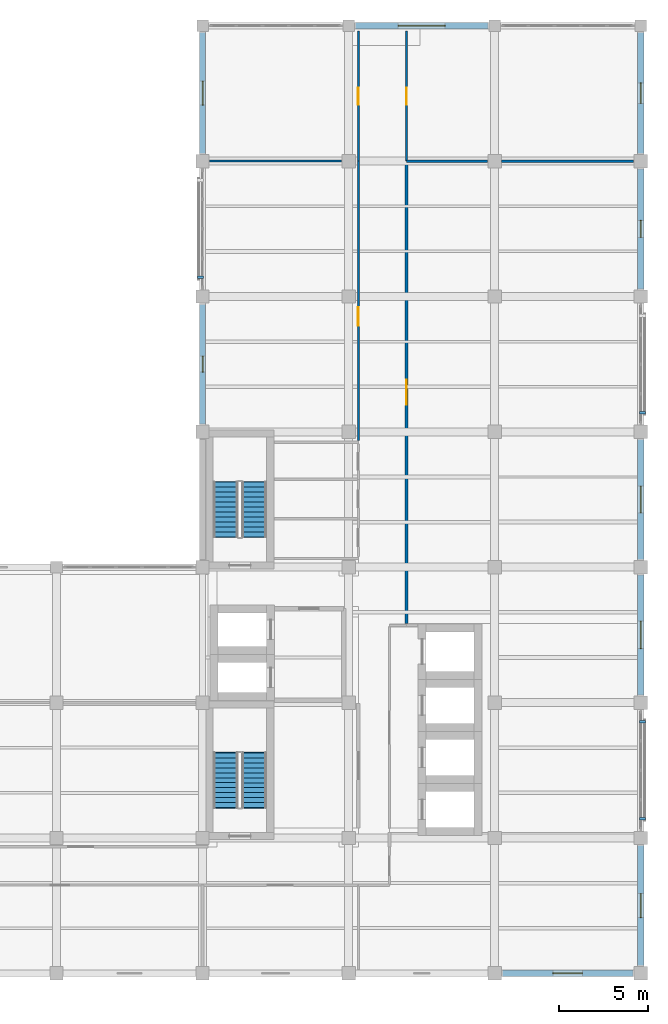
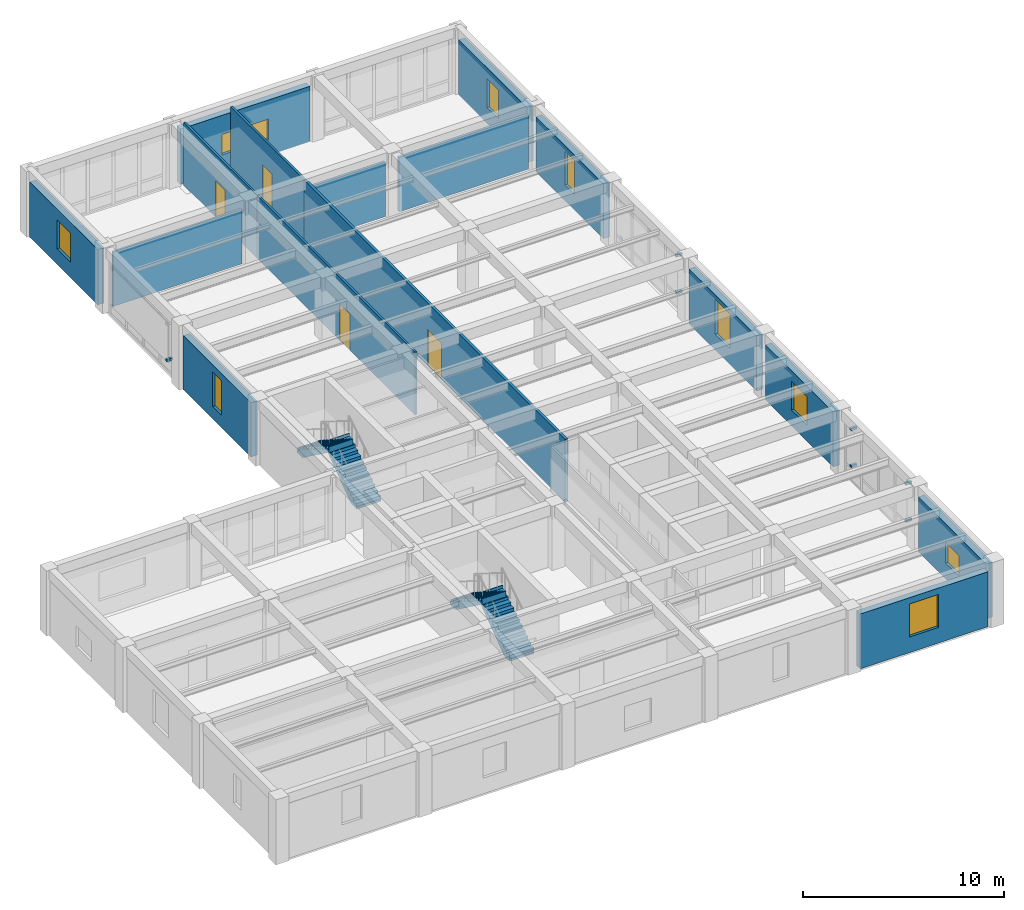
# One storey, part 9 of 14: 16 walls, 9 windows, 7 discrete accessories, 4 doors, 4 stair flights, 13 openings, 2 elements without a shape of their own.
"""IFC4 building model written with IfcOpenShell, lengths in metres."""

import ifcopenshell
import ifcopenshell.guid

model = None  # the IFC model being written
_history = None  # IfcOwnerHistory: only IFC2X3 demands one
_inside = {}  # id of a spatial element -> (the spatial element, [elements in it])
_under = {}  # id of a project, library or spatial element -> (it, [spatial elements below it])
_declared = {}  # id of a project -> (the project, [libraries it declares])
_typed = {}  # id of a type object -> (the type object, [elements of that type])
_made_of = {}  # id of a material, layer set ... -> (it, [elements and type objects made of it])


def new_model(schema):
    """Start an empty IFC model of exactly this schema.

    Asked for "IFC4X3", IfcOpenShell would pick the latest addendum, in which some entities
    have other attributes; the version numbers below select the first issue.
    IFC2X3 requires an IfcOwnerHistory on every rooted entity: one is made here for all.
    """
    global model, _history
    if schema == "IFC4X3":
        model = ifcopenshell.file(schema_version=(4, 3, 0, 0))
    else:
        model = ifcopenshell.file(schema=schema)
    _inside.clear()
    _under.clear()
    _declared.clear()
    _typed.clear()
    _made_of.clear()
    _history = None
    if model.schema == "IFC2X3":
        org = make("IfcOrganization", Name="unknown")
        user = make(
            "IfcPersonAndOrganization",
            ThePerson=make("IfcPerson", FamilyName="unknown"),
            TheOrganization=org,
        )
        app = make(
            "IfcApplication",
            ApplicationDeveloper=org,
            Version="unknown",
            ApplicationFullName="unknown",
            ApplicationIdentifier="unknown",
        )
        _history = make(
            "IfcOwnerHistory",
            OwningUser=user,
            OwningApplication=app,
            ChangeAction="ADDED",
            CreationDate=0,
        )
    return model


def make(cls, **values):
    """One entity of the class cls with the attributes given. An attribute that is None is left unset."""
    return model.create_entity(
        cls, **{name: value for name, value in values.items() if value is not None}
    )


def rooted(cls, **values):
    """An entity with a GlobalId (a new one), such as an element, a storey or a relation."""
    return make(cls, GlobalId=ifcopenshell.guid.new(), OwnerHistory=_history, **values)


def si_unit(unit_type, name, prefix=None):
    """IfcSIUnit, for example si_unit("LENGTHUNIT", "METRE", prefix="MILLI")."""
    return make("IfcSIUnit", UnitType=unit_type, Prefix=prefix, Name=name)


def assignment(units):
    """IfcUnitAssignment: the units of a project."""
    return None if units is None else make("IfcUnitAssignment", Units=units)


def point(xyz):
    """IfcCartesianPoint."""
    return None if xyz is None else make("IfcCartesianPoint", Coordinates=xyz)


def direction(xyz):
    """IfcDirection."""
    return None if xyz is None else make("IfcDirection", DirectionRatios=xyz)


def frame(location, z_axis=None, x_axis=None):
    """IfcAxis2Placement3D, a coordinate frame: its origin and axes. An axis left out is left unset."""
    return make(
        "IfcAxis2Placement3D",
        Location=point(location),
        Axis=direction(z_axis),
        RefDirection=direction(x_axis),
    )


def frame_2d(location, x_axis=None):
    """IfcAxis2Placement2D, a coordinate frame in the plane: its origin and x axis."""
    return make(
        "IfcAxis2Placement2D", Location=point(location), RefDirection=direction(x_axis)
    )


def origin():
    """The frame at (0, 0, 0) with its axes left unset."""
    return frame((0.0, 0.0, 0.0))


def origin_2d():
    """The frame at (0, 0) in the plane with its x axis left unset."""
    return frame_2d((0.0, 0.0))


def place(relative_to, where):
    """IfcLocalPlacement: puts the frame where relative to a parent placement (None: the world)."""
    return make(
        "IfcLocalPlacement", PlacementRelTo=relative_to, RelativePlacement=where
    )


def context(
    kind, dimensions, precision=None, world=None, true_north=None, identifier=None
):
    """IfcGeometricRepresentationContext, for example the 3D "Model" context."""
    return make(
        "IfcGeometricRepresentationContext",
        ContextIdentifier=identifier,
        ContextType=kind,
        CoordinateSpaceDimension=dimensions,
        Precision=precision,
        WorldCoordinateSystem=world,
        TrueNorth=true_north,
    )


def subcontext(parent, identifier, kind, view, scale=None):
    """IfcGeometricRepresentationSubContext, for example "Body" below "Model"."""
    return make(
        "IfcGeometricRepresentationSubContext",
        ContextIdentifier=identifier,
        ContextType=kind,
        ParentContext=parent,
        TargetScale=scale,
        TargetView=view,
    )


def project(units=None, contexts=None):
    """IfcProject with its units and contexts."""
    return rooted(
        "IfcProject",
        Name="project",
        RepresentationContexts=contexts,
        UnitsInContext=assignment(units),
    )


def spatial(cls, under=None, at=None, **own):
    """A site, building, storey or space (cls), placed at a placement, below another one or the project."""
    s = rooted(cls, ObjectPlacement=at, **own)
    if under is not None:
        _under.setdefault(under.id(), (under, []))[1].append(s)
    return s


def polyline(points):
    """IfcPolyline through the points."""
    return make("IfcPolyline", Points=[point(p) for p in points])


def profile(cls, at=None, kind="AREA", **sizes):
    """A parametric profile (cls). Its sizes go by their IFC names, for example OverallWidth=200.0."""
    return make(cls, ProfileType=kind, Position=at, **sizes)


def rectangle(**sizes):
    """IfcRectangleProfileDef."""
    return profile("IfcRectangleProfileDef", **sizes)


def outline(outer, holes=None, kind="AREA"):
    """IfcArbitraryClosedProfileDef: a profile drawn as a closed curve; with holes, ...WithVoids."""
    if holes is None:
        return make("IfcArbitraryClosedProfileDef", ProfileType=kind, OuterCurve=outer)
    return make(
        "IfcArbitraryProfileDefWithVoids",
        ProfileType=kind,
        OuterCurve=outer,
        InnerCurves=holes,
    )


def extrude(swept, where, along, depth):
    """IfcExtrudedAreaSolid: the profile swept, set in the frame where, extruded along a direction by depth."""
    return make(
        "IfcExtrudedAreaSolid",
        SweptArea=swept,
        Position=where,
        ExtrudedDirection=direction(along),
        Depth=depth,
    )


def shape(context_of_items, identifier, shape_type, items):
    """IfcShapeRepresentation: the items that make up one representation, for example the "Body"."""
    return make(
        "IfcShapeRepresentation",
        ContextOfItems=context_of_items,
        RepresentationIdentifier=identifier,
        RepresentationType=shape_type,
        Items=items,
    )


def material(Name=None, Category=None):
    """IfcMaterial."""
    return make("IfcMaterial", Name=Name, Category=Category)


def layer(
    of_material, thickness, ventilated=None, Name=None, Category=None, Priority=None
):
    """IfcMaterialLayer: one layer of a wall or slab, of a material (None: an air gap)."""
    return make(
        "IfcMaterialLayer",
        Material=of_material,
        LayerThickness=thickness,
        IsVentilated=ventilated,
        Name=Name,
        Category=Category,
        Priority=Priority,
    )


def layer_set(layers, Name=None):
    """IfcMaterialLayerSet."""
    return make("IfcMaterialLayerSet", MaterialLayers=layers, LayerSetName=Name)


def made_of(thing, what):
    """Note that an element or type object is made of a material, layer set ...; save() writes the relation."""
    if what is not None:
        _made_of.setdefault(what.id(), (what, []))[1].append(thing)
    return thing


def type_object(cls, material=None, **own):
    """A type object (cls), such as IfcWallType, which elements share."""
    return made_of(rooted(cls, **own), material)


def element(
    cls,
    number,
    at=None,
    inside=None,
    cuts=None,
    type_object=None,
    material=None,
    context=None,
    identifier="Body",
    shape_type=None,
    held_by="IfcProductDefinitionShape",
    body=None,
    shapes=None,
    **own,
):
    """One element of the class cls, such as IfcWall. Its Tag is "e" and its number.

    at: its placement. inside: the storey or other place that contains it. cuts: it is an
    opening in that element (IfcRelVoidsElement). A single representation is given by context,
    identifier, shape_type and body (its items); several are given by shapes. held_by: the class
    of the entity that holds the representations. save() writes the other relations.
    """
    e = rooted(cls, Tag="e%d" % number, ObjectPlacement=at, **own)
    if body is not None:
        shapes = [shape(context, identifier, shape_type, body)]
    if shapes is not None:
        e.Representation = make(held_by, Representations=shapes)
    if inside is not None:
        _inside.setdefault(inside.id(), (inside, []))[1].append(e)
    if cuts is not None:
        rooted(
            "IfcRelVoidsElement", RelatingBuildingElement=cuts, RelatedOpeningElement=e
        )
    if type_object is not None:
        _typed.setdefault(type_object.id(), (type_object, []))[1].append(e)
    return made_of(e, material)


def fill(opening, filler):
    """IfcRelFillsElement: the door or window that sits in an opening."""
    return rooted(
        "IfcRelFillsElement",
        RelatingOpeningElement=opening,
        RelatedBuildingElement=filler,
    )


def aggregate(whole, parts):
    """IfcRelAggregates: a whole, such as a stair, and the parts it consists of."""
    return rooted("IfcRelAggregates", RelatingObject=whole, RelatedObjects=parts)


def save(model, path):
    """Write the relations noted so far, then the file.

    IfcRelAggregates (storeys below a building ...), IfcRelContainedInSpatialStructure (elements
    in a storey), IfcRelDefinesByType, IfcRelAssociatesMaterial and IfcRelDeclares: one each for
    every whole, place, type object, material and project.
    """
    for whole, parts in _under.values():
        aggregate(whole, parts)
    for where, things in _inside.values():
        rooted(
            "IfcRelContainedInSpatialStructure",
            RelatedElements=things,
            RelatingStructure=where,
        )
    for kind, things in _typed.values():
        rooted("IfcRelDefinesByType", RelatedObjects=things, RelatingType=kind)
    for what, things in _made_of.values():
        rooted("IfcRelAssociatesMaterial", RelatedObjects=things, RelatingMaterial=what)
    for by, libraries in _declared.values():
        rooted("IfcRelDeclares", RelatingContext=by, RelatedDefinitions=libraries)
    model.write(path)


model = new_model("IFC4")

# Units and contexts
model_context = context("Model", 3, precision=1e-05, world=origin(), true_north=direction((0.0, 1.0)))
body_context = subcontext(model_context, "Body", "Model", "MODEL_VIEW")
ifc_project = project(units=[si_unit("LENGTHUNIT", "METRE"), si_unit("AREAUNIT", "SQUARE_METRE"), si_unit("VOLUMEUNIT", "CUBIC_METRE"), si_unit("PLANEANGLEUNIT", "RADIAN"), si_unit("MASSUNIT", "GRAM", prefix="KILO")], contexts=[model_context])

# Site, building, storey
site_placement = place(None, origin())
site = spatial("IfcSite", under=ifc_project, at=site_placement, CompositionType="ELEMENT")
building_placement = place(site_placement, origin())
building = spatial("IfcBuilding", under=site, at=building_placement, Name="Qandaris Square Conservatory and Botanical Centre", CompositionType="ELEMENT")
storey_placement = place(building_placement, frame((0.0, 0.0, 49.199951171875)))
storey = spatial("IfcBuildingStorey", under=building, at=storey_placement, Name="L11", CompositionType="ELEMENT", Elevation=49.199951171875)

# Wall, opening, door
ifc_material_1 = material(Name="Gypsum Plasterboard", Category="gypsum")
ifc_layer_1 = layer(ifc_material_1, 0.14990234375)
ifc_layer_set_1 = layer_set([ifc_layer_1], Name="Gypsum Plasterboard")
wall_type_1 = type_object("IfcWallType", Name="Acoustic Laboratory Partition 150mm", PredefinedType="PARTITIONING", material=ifc_layer_set_1)
wall_1_placement = place(storey_placement, frame((150.64990234375, 62.199951171875, 0.0), z_axis=(0.0, 0.0, 1.0), x_axis=(0.0, -1.0, 0.0)))
wall_1 = element("IfcWall", 1, at=wall_1_placement, inside=storey, type_object=wall_type_1, Name="Interior Partition IW-L11-0380", PredefinedType="PARTITIONING", context=body_context, shape_type="SweptSolid", body=[
    extrude(rectangle(XDim=25.949951171875, YDim=0.14990234375, at=frame_2d((12.97509765625, 0.0))), origin(), (0.0, 0.0, 1.0), 3.804931640625),
])
opening_1_placement = place(wall_1_placement, frame((12.27490234375, 0.0, 0.0)))
opening_1 = element("IfcOpeningElement", 2, at=opening_1_placement, cuts=wall_1, Name="Opening D-LAB1", PredefinedType="OPENING", context=body_context, shape_type="SweptSolid", body=[
    extrude(rectangle(XDim=1.39990234375, YDim=2.199951171875, at=frame_2d((0.699951171875, 1.10009765625))), frame((0.0, 0.0869140625, 0.0), z_axis=(0.0, -1.0, 0.0), x_axis=(1.0, 0.0, 0.0)), (0.0, 0.0, 1.0), 0.173828125),
])
ifc_material_2 = material(Name="Engineered Oak Timber", Category="wood")
door_type_1 = type_object("IfcDoorType", Name="Research Laboratory Leaf-and-Half Door 1400x2200", OperationType="DOUBLE_DOOR_SINGLE_SWING", PredefinedType="DOOR", material=ifc_material_2)
door_1_placement = place(opening_1_placement, frame((1.39990234375, 0.0, 0.0), z_axis=(0.0, 0.0, 1.0), x_axis=(-1.0, 0.0, 0.0)))
door_1 = element("IfcDoor", 3, at=door_1_placement, inside=storey, type_object=door_type_1, Name="DR-0340 Desert Lichenology Analytical Laboratory Door", OperationType="DOUBLE_DOOR_SINGLE_SWING", OverallHeight=2.199951171875, OverallWidth=1.39990234375, PredefinedType="DOOR", context=body_context, shape_type="SweptSolid", body=[
    extrude(rectangle(XDim=1.39990234375, YDim=2.199951171875, at=frame_2d((0.699951171875, 1.10009765625))), frame((0.0, 0.02490234375, 0.0), z_axis=(0.0, -1.0, 0.0), x_axis=(1.0, 0.0, 0.0)), (0.0, 0.0, 1.0), 0.050048828125),
])
fill(opening_1, door_1)

# Walls
wall_2_placement = place(storey_placement, frame((150.64990234375, 62.199951171875, 0.0), z_axis=(0.0, 0.0, 1.0), x_axis=(1.0, 0.0, 0.0)))
element("IfcWall", 4, at=wall_2_placement, inside=storey, type_object=wall_type_1, Name="Interior Partition IW-L11-0387", PredefinedType="PARTITIONING", context=body_context, shape_type="SweptSolid", body=[
    extrude(rectangle(XDim=4.55517578125, YDim=0.14990234375, at=frame_2d((2.277587890625, 0.0))), origin(), (0.0, 0.0, 1.0), 3.304931640625),
])
wall_3_placement = place(storey_placement, frame((155.9951171875, 62.199951171875, 0.0), z_axis=(0.0, 0.0, 1.0), x_axis=(1.0, 0.0, 0.0)))
element("IfcWall", 5, at=wall_3_placement, inside=storey, type_object=wall_type_1, Name="Interior Partition IW-L11-0388", PredefinedType="PARTITIONING", context=body_context, shape_type="SweptSolid", body=[
    extrude(rectangle(XDim=7.409912109375, YDim=0.14990234375, at=frame_2d((3.705078125, 0.0))), origin(), (0.0, 0.0, 1.0), 3.304931640625),
])

# Wall, opening, window
ifc_material_3 = material(Name="Precast concrete C40/50", Category="concrete")
ifc_layer_2 = layer(ifc_material_3, 0.360107421875)
ifc_layer_set_2 = layer_set([ifc_layer_2], Name="Precast concrete C40/50")
wall_type_2 = type_object("IfcWallType", Name="Architectural Precast Cladding Wall 360mm", PredefinedType="SOLIDWALL", material=ifc_layer_set_2)
wall_4_placement = place(storey_placement, frame((156.034912109375, 16.60009765625, 0.0), z_axis=(0.0, 0.0, 1.0), x_axis=(1.0, 0.0, 0.0)))
wall_4 = element("IfcWall", 6, at=wall_4_placement, inside=storey, type_object=wall_type_2, Name="Exterior Wall EW-TWR-L11-1-5", PredefinedType="SOLIDWALL", context=body_context, shape_type="SweptSolid", body=[
    extrude(rectangle(XDim=7.330078125, YDim=0.360107421875, at=frame_2d((3.6650390625, 0.0))), origin(), (0.0, 0.0, 1.0), 3.330078125),
])
opening_2_placement = place(wall_4_placement, frame((2.840087890625, 0.0, 0.949951171875)))
opening_2 = element("IfcOpeningElement", 7, at=opening_2_placement, cuts=wall_4, Name="Opening WN-08", PredefinedType="OPENING", context=body_context, shape_type="SweptSolid", body=[
    extrude(rectangle(XDim=1.64990234375, YDim=2.0, at=frame_2d((0.824951171875, 1.0))), frame((0.0, 0.19189453125, 0.0), z_axis=(0.0, -1.0, 0.0), x_axis=(1.0, 0.0, 0.0)), (0.0, 0.0, 1.0), 0.384033203125),
])
ifc_material_4 = material(Name="Tempered Low-E Glass", Category="glass")
window_type_1 = type_object("IfcWindowType", Name="Seminar Courtyard Window 1650x2000", PartitioningType="DOUBLE_PANEL_VERTICAL", PredefinedType="WINDOW", material=ifc_material_4)
window_1_placement = place(opening_2_placement, origin())
window_1 = element("IfcWindow", 8, at=window_1_placement, inside=storey, type_object=window_type_1, Name="Window EW-TWR-L11-1-5", OverallHeight=2.0, OverallWidth=1.64990234375, PartitioningType="DOUBLE_PANEL_VERTICAL", PredefinedType="WINDOW", context=body_context, shape_type="SweptSolid", body=[
    extrude(rectangle(XDim=1.64990234375, YDim=2.0, at=frame_2d((0.824951171875, 1.0))), frame((0.0, 0.030029296875, 0.0), z_axis=(0.0, -1.0, 0.0), x_axis=(1.0, 0.0, 0.0)), (0.0, 0.0, 1.0), 0.06005859375),
])
fill(opening_2, window_1)

wall_5_placement = place(storey_placement, frame((163.800048828125, 17.034912109375, 0.0), z_axis=(0.0, 0.0, 1.0), x_axis=(0.0, 1.0, 0.0)))
wall_5 = element("IfcWall", 9, at=wall_5_placement, inside=storey, type_object=wall_type_2, Name="Exterior Wall EW-TWR-L11-2-1", PredefinedType="SOLIDWALL", context=body_context, shape_type="SweptSolid", body=[
    extrude(rectangle(XDim=6.72998046875, YDim=0.360107421875, at=frame_2d((3.364990234375, 0.0))), origin(), (0.0, 0.0, 1.0), 3.330078125),
])
opening_3_placement = place(wall_5_placement, frame((2.68994140625, 0.0, 0.949951171875)))
opening_3 = element("IfcOpeningElement", 10, at=opening_3_placement, cuts=wall_5, Name="Opening WN-21", PredefinedType="OPENING", context=body_context, shape_type="SweptSolid", body=[
    extrude(rectangle(XDim=1.35009765625, YDim=1.25, at=frame_2d((0.675048828125, 0.625))), frame((0.0, 0.19189453125, 0.0), z_axis=(0.0, -1.0, 0.0), x_axis=(1.0, 0.0, 0.0)), (0.0, 0.0, 1.0), 0.384033203125),
])
window_type_2 = type_object("IfcWindowType", Name="Solar Control Window 1350x1250", PartitioningType="SINGLE_PANEL", PredefinedType="WINDOW", material=ifc_material_4)
window_2_placement = place(opening_3_placement, origin())
window_2 = element("IfcWindow", 11, at=window_2_placement, inside=storey, type_object=window_type_2, Name="Window EW-TWR-L11-2-1", OverallHeight=1.25, OverallWidth=1.35009765625, PartitioningType="SINGLE_PANEL", PredefinedType="WINDOW", context=body_context, shape_type="SweptSolid", body=[
    extrude(rectangle(XDim=1.35009765625, YDim=1.25, at=frame_2d((0.675048828125, 0.625))), frame((0.0, 0.030029296875, 0.0), z_axis=(0.0, -1.0, 0.0), x_axis=(1.0, 0.0, 0.0)), (0.0, 0.0, 1.0), 0.06005859375),
])
fill(opening_3, window_2)

wall_6_placement = place(storey_placement, frame((163.800048828125, 32.235107421875, 0.0), z_axis=(0.0, 0.0, 1.0), x_axis=(0.0, 1.0, 0.0)))
wall_6 = element("IfcWall", 12, at=wall_6_placement, inside=storey, type_object=wall_type_2, Name="Exterior Wall EW-TWR-L11-2-3", PredefinedType="SOLIDWALL", context=body_context, shape_type="SweptSolid", body=[
    extrude(rectangle(XDim=6.72998046875, YDim=0.360107421875, at=frame_2d((3.364990234375, 0.0))), origin(), (0.0, 0.0, 1.0), 3.330078125),
])
opening_4_placement = place(wall_6_placement, frame((2.590087890625, 0.0, 0.949951171875)))
opening_4 = element("IfcOpeningElement", 13, at=opening_4_placement, cuts=wall_6, Name="Opening WN-27", PredefinedType="OPENING", context=body_context, shape_type="SweptSolid", body=[
    extrude(rectangle(XDim=1.550048828125, YDim=1.75, at=frame_2d((0.77490234375, 0.875))), frame((0.0, 0.19189453125, 0.0), z_axis=(0.0, -1.0, 0.0), x_axis=(1.0, 0.0, 0.0)), (0.0, 0.0, 1.0), 0.384033203125),
])
window_type_3 = type_object("IfcWindowType", Name="Solar Control Window 1550x1750", PartitioningType="DOUBLE_PANEL_VERTICAL", PredefinedType="WINDOW", material=ifc_material_4)
window_3_placement = place(opening_4_placement, origin())
window_3 = element("IfcWindow", 14, at=window_3_placement, inside=storey, type_object=window_type_3, Name="Window EW-TWR-L11-2-3", OverallHeight=1.75, OverallWidth=1.550048828125, PartitioningType="DOUBLE_PANEL_VERTICAL", PredefinedType="WINDOW", context=body_context, shape_type="SweptSolid", body=[
    extrude(rectangle(XDim=1.550048828125, YDim=1.75, at=frame_2d((0.77490234375, 0.875))), frame((0.0, 0.030029296875, 0.0), z_axis=(0.0, -1.0, 0.0), x_axis=(1.0, 0.0, 0.0)), (0.0, 0.0, 1.0), 0.06005859375),
])
fill(opening_4, window_3)

wall_7_placement = place(storey_placement, frame((163.800048828125, 39.8349609375, 0.0), z_axis=(0.0, 0.0, 1.0), x_axis=(0.0, 1.0, 0.0)))
wall_7 = element("IfcWall", 15, at=wall_7_placement, inside=storey, type_object=wall_type_2, Name="Exterior Wall EW-TWR-L11-2-4", PredefinedType="SOLIDWALL", context=body_context, shape_type="SweptSolid", body=[
    extrude(rectangle(XDim=6.72998046875, YDim=0.360107421875, at=frame_2d((3.364990234375, 0.0))), origin(), (0.0, 0.0, 1.0), 3.330078125),
])
opening_5_placement = place(wall_7_placement, frame((2.614990234375, 0.0, 0.949951171875)))
opening_5 = element("IfcOpeningElement", 16, at=opening_5_placement, cuts=wall_7, Name="Opening WN-02", PredefinedType="OPENING", context=body_context, shape_type="SweptSolid", body=[
    extrude(rectangle(XDim=1.5, YDim=2.10009765625, at=frame_2d((0.75, 1.050048828125))), frame((0.0, 0.19189453125, 0.0), z_axis=(0.0, -1.0, 0.0), x_axis=(1.0, 0.0, 0.0)), (0.0, 0.0, 1.0), 0.384033203125),
])
window_type_4 = type_object("IfcWindowType", Name="Deep-Set Paired Research Window 1500x2100", PartitioningType="DOUBLE_PANEL_VERTICAL", PredefinedType="WINDOW", material=ifc_material_4)
window_4_placement = place(opening_5_placement, origin())
window_4 = element("IfcWindow", 17, at=window_4_placement, inside=storey, type_object=window_type_4, Name="Window EW-TWR-L11-2-4", OverallHeight=2.10009765625, OverallWidth=1.5, PartitioningType="DOUBLE_PANEL_VERTICAL", PredefinedType="WINDOW", context=body_context, shape_type="SweptSolid", body=[
    extrude(rectangle(XDim=1.5, YDim=2.10009765625, at=frame_2d((0.75, 1.050048828125))), frame((0.0, 0.030029296875, 0.0), z_axis=(0.0, -1.0, 0.0), x_axis=(1.0, 0.0, 0.0)), (0.0, 0.0, 1.0), 0.06005859375),
])
fill(opening_5, window_4)

wall_8_placement = place(storey_placement, frame((163.800048828125, 55.034912109375, 0.0), z_axis=(0.0, 0.0, 1.0), x_axis=(0.0, 1.0, 0.0)))
wall_8 = element("IfcWall", 18, at=wall_8_placement, inside=storey, type_object=wall_type_2, Name="Exterior Wall EW-TWR-L11-2-6", PredefinedType="SOLIDWALL", context=body_context, shape_type="SweptSolid", body=[
    extrude(rectangle(XDim=6.72998046875, YDim=0.360107421875, at=frame_2d((3.364990234375, 0.0))), origin(), (0.0, 0.0, 1.0), 3.330078125),
])
opening_6_placement = place(wall_8_placement, frame((2.889892578125, 0.0, 0.949951171875)))
opening_6 = element("IfcOpeningElement", 19, at=opening_6_placement, cuts=wall_8, Name="Opening WN-16", PredefinedType="OPENING", context=body_context, shape_type="SweptSolid", body=[
    extrude(rectangle(XDim=0.949951171875, YDim=2.050048828125, at=frame_2d((0.47509765625, 1.02490234375))), frame((0.0, 0.19189453125, 0.0), z_axis=(0.0, -1.0, 0.0), x_axis=(1.0, 0.0, 0.0)), (0.0, 0.0, 1.0), 0.384033203125),
])
window_type_5 = type_object("IfcWindowType", Name="Solar Control Window 950x2050", PartitioningType="SINGLE_PANEL", PredefinedType="WINDOW", material=ifc_material_4)
window_5_placement = place(opening_6_placement, origin())
window_5 = element("IfcWindow", 20, at=window_5_placement, inside=storey, type_object=window_type_5, Name="Window EW-TWR-L11-2-6", OverallHeight=2.050048828125, OverallWidth=0.949951171875, PartitioningType="SINGLE_PANEL", PredefinedType="WINDOW", context=body_context, shape_type="SweptSolid", body=[
    extrude(rectangle(XDim=0.949951171875, YDim=2.050048828125, at=frame_2d((0.47509765625, 1.02490234375))), frame((0.0, 0.030029296875, 0.0), z_axis=(0.0, -1.0, 0.0), x_axis=(1.0, 0.0, 0.0)), (0.0, 0.0, 1.0), 0.06005859375),
])
fill(opening_6, window_5)

wall_9_placement = place(storey_placement, frame((163.800048828125, 62.635009765625, 0.0), z_axis=(0.0, 0.0, 1.0), x_axis=(0.0, 1.0, 0.0)))
wall_9 = element("IfcWall", 21, at=wall_9_placement, inside=storey, type_object=wall_type_2, Name="Exterior Wall EW-TWR-L11-2-7", PredefinedType="SOLIDWALL", context=body_context, shape_type="SweptSolid", body=[
    extrude(rectangle(XDim=6.780029296875, YDim=0.360107421875, at=frame_2d((3.39013671875, 0.0))), origin(), (0.0, 0.0, 1.0), 3.35498046875),
])
opening_7_placement = place(wall_9_placement, frame((2.81494140625, 0.0, 0.949951171875)))
opening_7 = element("IfcOpeningElement", 22, at=opening_7_placement, cuts=wall_9, Name="Opening WN-19", PredefinedType="OPENING", context=body_context, shape_type="SweptSolid", body=[
    extrude(rectangle(XDim=1.14990234375, YDim=1.75, at=frame_2d((0.574951171875, 0.875))), frame((0.0, 0.19189453125, 0.0), z_axis=(0.0, -1.0, 0.0), x_axis=(1.0, 0.0, 0.0)), (0.0, 0.0, 1.0), 0.384033203125),
])
window_type_6 = type_object("IfcWindowType", Name="Solar Control Window 1150x1750", PartitioningType="SINGLE_PANEL", PredefinedType="WINDOW", material=ifc_material_4)
window_6_placement = place(opening_7_placement, origin())
window_6 = element("IfcWindow", 23, at=window_6_placement, inside=storey, type_object=window_type_6, Name="Window EW-TWR-L11-2-7", OverallHeight=1.75, OverallWidth=1.14990234375, PartitioningType="SINGLE_PANEL", PredefinedType="WINDOW", context=body_context, shape_type="SweptSolid", body=[
    extrude(rectangle(XDim=1.14990234375, YDim=1.75, at=frame_2d((0.574951171875, 0.875))), frame((0.0, 0.030029296875, 0.0), z_axis=(0.0, -1.0, 0.0), x_axis=(1.0, 0.0, 0.0)), (0.0, 0.0, 1.0), 0.06005859375),
])
fill(opening_7, window_6)

wall_10_placement = place(storey_placement, frame((155.215087890625, 69.800048828125, 0.0), z_axis=(0.0, 0.0, 1.0), x_axis=(-1.0, 0.0, 0.0)))
wall_10 = element("IfcWall", 24, at=wall_10_placement, inside=storey, type_object=wall_type_2, Name="Exterior Wall EW-TWR-L11-3-2", PredefinedType="SOLIDWALL", context=body_context, shape_type="SweptSolid", body=[
    extrude(rectangle(XDim=7.43017578125, YDim=0.360107421875, at=frame_2d((3.715087890625, 0.0))), origin(), (0.0, 0.0, 1.0), 3.35498046875),
])
opening_8_placement = place(wall_10_placement, frame((2.389892578125, 0.0, 0.949951171875)))
opening_8 = element("IfcOpeningElement", 25, at=opening_8_placement, cuts=wall_10, Name="Opening WN-41", PredefinedType="OPENING", context=body_context, shape_type="SweptSolid", body=[
    extrude(rectangle(XDim=2.64990234375, YDim=1.25, at=frame_2d((1.324951171875, 0.625))), frame((0.0, 0.19189453125, 0.0), z_axis=(0.0, -1.0, 0.0), x_axis=(1.0, 0.0, 0.0)), (0.0, 0.0, 1.0), 0.384033203125),
])
window_type_7 = type_object("IfcWindowType", Name="Solar Control Window 2650x1250", PartitioningType="DOUBLE_PANEL_VERTICAL", PredefinedType="WINDOW", material=ifc_material_4)
window_7_placement = place(opening_8_placement, origin())
window_7 = element("IfcWindow", 26, at=window_7_placement, inside=storey, type_object=window_type_7, Name="Window EW-TWR-L11-3-2", OverallHeight=1.25, OverallWidth=2.64990234375, PartitioningType="DOUBLE_PANEL_VERTICAL", PredefinedType="WINDOW", context=body_context, shape_type="SweptSolid", body=[
    extrude(rectangle(XDim=2.64990234375, YDim=1.25, at=frame_2d((1.324951171875, 0.625))), frame((0.0, 0.030029296875, 0.0), z_axis=(0.0, -1.0, 0.0), x_axis=(1.0, 0.0, 0.0)), (0.0, 0.0, 1.0), 0.06005859375),
])
fill(opening_8, window_7)

wall_11_placement = place(storey_placement, frame((139.199951171875, 69.4150390625, 0.0), z_axis=(0.0, 0.0, 1.0), x_axis=(0.0, -1.0, 0.0)))
wall_11 = element("IfcWall", 27, at=wall_11_placement, inside=storey, type_object=wall_type_2, Name="Exterior Wall EW-TWR-L11-4-1", PredefinedType="SOLIDWALL", context=body_context, shape_type="SweptSolid", body=[
    extrude(rectangle(XDim=6.780029296875, YDim=0.360107421875, at=frame_2d((3.39013671875, 0.0))), origin(), (0.0, 0.0, 1.0), 3.35498046875),
])
opening_9_placement = place(wall_11_placement, frame((2.715087890625, 0.0, 0.949951171875)))
opening_9 = element("IfcOpeningElement", 28, at=opening_9_placement, cuts=wall_11, Name="Opening WN-23", PredefinedType="OPENING", context=body_context, shape_type="SweptSolid", body=[
    extrude(rectangle(XDim=1.35009765625, YDim=1.75, at=frame_2d((0.675048828125, 0.875))), frame((0.0, 0.19189453125, 0.0), z_axis=(0.0, -1.0, 0.0), x_axis=(1.0, 0.0, 0.0)), (0.0, 0.0, 1.0), 0.384033203125),
])
window_type_8 = type_object("IfcWindowType", Name="Solar Control Window 1350x1750", PartitioningType="SINGLE_PANEL", PredefinedType="WINDOW", material=ifc_material_4)
window_8_placement = place(opening_9_placement, origin())
window_8 = element("IfcWindow", 29, at=window_8_placement, inside=storey, type_object=window_type_8, Name="Window EW-TWR-L11-4-1", OverallHeight=1.75, OverallWidth=1.35009765625, PartitioningType="SINGLE_PANEL", PredefinedType="WINDOW", context=body_context, shape_type="SweptSolid", body=[
    extrude(rectangle(XDim=1.35009765625, YDim=1.75, at=frame_2d((0.675048828125, 0.875))), frame((0.0, 0.030029296875, 0.0), z_axis=(0.0, -1.0, 0.0), x_axis=(1.0, 0.0, 0.0)), (0.0, 0.0, 1.0), 0.06005859375),
])
fill(opening_9, window_8)

wall_12_placement = place(storey_placement, frame((139.199951171875, 54.1650390625, 0.0), z_axis=(0.0, 0.0, 1.0), x_axis=(0.0, -1.0, 0.0)))
wall_12 = element("IfcWall", 30, at=wall_12_placement, inside=storey, type_object=wall_type_2, Name="Exterior Wall EW-TWR-L11-4-3", PredefinedType="SOLIDWALL", context=body_context, shape_type="SweptSolid", body=[
    extrude(rectangle(XDim=6.72998046875, YDim=0.360107421875, at=frame_2d((3.364990234375, 0.0))), origin(), (0.0, 0.0, 1.0), 3.28515625),
])
opening_10_placement = place(wall_12_placement, frame((2.9150390625, 0.0, 0.75)))
opening_10 = element("IfcOpeningElement", 31, at=opening_10_placement, cuts=wall_12, Name="Opening WN-01", PredefinedType="OPENING", context=body_context, shape_type="SweptSolid", body=[
    extrude(rectangle(XDim=0.89990234375, YDim=2.10009765625, at=frame_2d((0.449951171875, 1.050048828125))), frame((0.0, 0.19189453125, 0.0), z_axis=(0.0, -1.0, 0.0), x_axis=(1.0, 0.0, 0.0)), (0.0, 0.0, 1.0), 0.384033203125),
])
window_type_9 = type_object("IfcWindowType", Name="Deep-Set Solar Slot Window 900x2100", PartitioningType="SINGLE_PANEL", PredefinedType="WINDOW", material=ifc_material_4)
window_9_placement = place(opening_10_placement, origin())
window_9 = element("IfcWindow", 32, at=window_9_placement, inside=storey, type_object=window_type_9, Name="Window EW-TWR-L11-4-3", OverallHeight=2.10009765625, OverallWidth=0.89990234375, PartitioningType="SINGLE_PANEL", PredefinedType="WINDOW", context=body_context, shape_type="SweptSolid", body=[
    extrude(rectangle(XDim=0.89990234375, YDim=2.10009765625, at=frame_2d((0.449951171875, 1.050048828125))), frame((0.0, 0.030029296875, 0.0), z_axis=(0.0, -1.0, 0.0), x_axis=(1.0, 0.0, 0.0)), (0.0, 0.0, 1.0), 0.06005859375),
])
fill(opening_10, window_9)

# Wall, opening, door
ifc_layer_3 = layer(ifc_material_1, 0.1201171875)
ifc_layer_set_3 = layer_set([ifc_layer_3], Name="Gypsum Plasterboard")
wall_type_3 = type_object("IfcWallType", Name="Standard Research Partition 120mm", PredefinedType="PARTITIONING", material=ifc_layer_set_3)
wall_13_placement = place(storey_placement, frame((147.949951171875, 46.510009765625, 0.0), z_axis=(0.0, 0.0, 1.0), x_axis=(0.0, 1.0, 0.0)))
wall_13 = element("IfcWall", 33, at=wall_13_placement, inside=storey, type_object=wall_type_3, Name="Interior Partition IW-L11-0381", PredefinedType="PARTITIONING", context=body_context, shape_type="SweptSolid", body=[
    extrude(rectangle(XDim=15.68994140625, YDim=0.1201171875, at=frame_2d((7.844970703125, 0.0))), origin(), (0.0, 0.0, 1.0), 3.804931640625),
])
opening_11_placement = place(wall_13_placement, frame((6.443115234375, 0.0, 0.0)))
opening_11 = element("IfcOpeningElement", 34, at=opening_11_placement, cuts=wall_13, Name="Opening D-LAB2", PredefinedType="OPENING", context=body_context, shape_type="SweptSolid", body=[
    extrude(rectangle(XDim=1.050048828125, YDim=2.199951171875, at=frame_2d((0.52490234375, 1.10009765625))), frame((0.0, 0.072021484375, 0.0), z_axis=(0.0, -1.0, 0.0), x_axis=(1.0, 0.0, 0.0)), (0.0, 0.0, 1.0), 0.14404296875),
])
door_type_2 = type_object("IfcDoorType", Name="Analytical Laboratory Single Door 1050x2200", OperationType="NOTDEFINED", PredefinedType="DOOR", material=ifc_material_2)
door_2_placement = place(opening_11_placement, origin())
door_2 = element("IfcDoor", 35, at=door_2_placement, inside=storey, type_object=door_type_2, Name="DR-0344 Carbon Flux Specimen Prep Room Door", OperationType="SINGLE_SWING_RIGHT", OverallHeight=2.199951171875, OverallWidth=1.050048828125, PredefinedType="DOOR", context=body_context, shape_type="SweptSolid", body=[
    extrude(rectangle(XDim=1.050048828125, YDim=2.199951171875, at=frame_2d((0.52490234375, 1.10009765625))), frame((0.0, 0.02490234375, 0.0), z_axis=(0.0, -1.0, 0.0), x_axis=(1.0, 0.0, 0.0)), (0.0, 0.0, 1.0), 0.050048828125),
])
fill(opening_11, door_2)

wall_14_placement = place(storey_placement, frame((147.949951171875, 62.199951171875, 0.0), z_axis=(0.0, 0.0, 1.0), x_axis=(0.0, 1.0, 0.0)))
wall_14 = element("IfcWall", 36, at=wall_14_placement, inside=storey, type_object=wall_type_3, Name="Interior Partition IW-L11-0382", PredefinedType="PARTITIONING", context=body_context, shape_type="SweptSolid", body=[
    extrude(rectangle(XDim=7.300048828125, YDim=0.1201171875, at=frame_2d((3.64990234375, 0.0))), origin(), (0.0, 0.0, 1.0), 3.804931640625),
])
opening_12_placement = place(wall_14_placement, frame((3.175048828125, 0.0, 0.0)))
opening_12 = element("IfcOpeningElement", 37, at=opening_12_placement, cuts=wall_14, Name="Opening D-OFF1", PredefinedType="OPENING", context=body_context, shape_type="SweptSolid", body=[
    extrude(rectangle(XDim=0.949951171875, YDim=2.199951171875, at=frame_2d((0.47509765625, 1.10009765625))), frame((0.0, 0.072021484375, 0.0), z_axis=(0.0, -1.0, 0.0), x_axis=(1.0, 0.0, 0.0)), (0.0, 0.0, 1.0), 0.14404296875),
])
door_type_3 = type_object("IfcDoorType", Name="Research Office Acoustic Door 950x2200", OperationType="NOTDEFINED", PredefinedType="DOOR", material=ifc_material_2)
door_3_placement = place(opening_12_placement, frame((0.949951171875, 0.0, 0.0), z_axis=(0.0, 0.0, 1.0), x_axis=(-1.0, 0.0, 0.0)))
door_3 = element("IfcDoor", 38, at=door_3_placement, inside=storey, type_object=door_type_3, Name="DR-0346 Remote Sensing GIS Collaborative Seminar Room Door", OperationType="SINGLE_SWING_LEFT", OverallHeight=2.199951171875, OverallWidth=0.949951171875, PredefinedType="DOOR", context=body_context, shape_type="SweptSolid", body=[
    extrude(rectangle(XDim=0.949951171875, YDim=2.199951171875, at=frame_2d((0.47509765625, 1.10009765625))), frame((0.0, 0.02490234375, 0.0), z_axis=(0.0, -1.0, 0.0), x_axis=(1.0, 0.0, 0.0)), (0.0, 0.0, 1.0), 0.050048828125),
])
fill(opening_12, door_3)

wall_15_placement = place(storey_placement, frame((150.64990234375, 69.5, 0.0), z_axis=(0.0, 0.0, 1.0), x_axis=(0.0, -1.0, 0.0)))
wall_15 = element("IfcWall", 39, at=wall_15_placement, inside=storey, type_object=wall_type_3, Name="Interior Partition IW-L11-0383", PredefinedType="PARTITIONING", context=body_context, shape_type="SweptSolid", body=[
    extrude(rectangle(XDim=7.300048828125, YDim=0.1201171875, at=frame_2d((3.64990234375, 0.0))), origin(), (0.0, 0.0, 1.0), 3.804931640625),
])
opening_13_placement = place(wall_15_placement, frame((3.175048828125, 0.0, 0.0)))
opening_13 = element("IfcOpeningElement", 40, at=opening_13_placement, cuts=wall_15, Name="Opening D-OFF1", PredefinedType="OPENING", context=body_context, shape_type="SweptSolid", body=[
    extrude(rectangle(XDim=0.949951171875, YDim=2.199951171875, at=frame_2d((0.47509765625, 1.10009765625))), frame((0.0, 0.072021484375, 0.0), z_axis=(0.0, -1.0, 0.0), x_axis=(1.0, 0.0, 0.0)), (0.0, 0.0, 1.0), 0.14404296875),
])
door_4_placement = place(opening_13_placement, origin())
door_4 = element("IfcDoor", 41, at=door_4_placement, inside=storey, type_object=door_type_3, Name="DR-0347 Floor L11 Staff Write-Up Lounge Door", OperationType="SINGLE_SWING_RIGHT", OverallHeight=2.199951171875, OverallWidth=0.949951171875, PredefinedType="DOOR", context=body_context, shape_type="SweptSolid", body=[
    extrude(rectangle(XDim=0.949951171875, YDim=2.199951171875, at=frame_2d((0.47509765625, 1.10009765625))), frame((0.0, 0.02490234375, 0.0), z_axis=(0.0, -1.0, 0.0), x_axis=(1.0, 0.0, 0.0)), (0.0, 0.0, 1.0), 0.050048828125),
])
fill(opening_13, door_4)

# Wall
wall_16_placement = place(storey_placement, frame((139.594970703125, 62.199951171875, 0.0), z_axis=(0.0, 0.0, 1.0), x_axis=(1.0, 0.0, 0.0)))
element("IfcWall", 42, at=wall_16_placement, inside=storey, type_object=wall_type_3, Name="Interior Partition IW-L11-0389", PredefinedType="PARTITIONING", context=body_context, shape_type="SweptSolid", body=[
    extrude(rectangle(XDim=7.409912109375, YDim=0.1201171875, at=frame_2d((3.705078125, 0.0))), origin(), (0.0, 0.0, 1.0), 3.304931640625),
])

# Stair, stair flights
ifc_material_5 = material(Name="Concrete C40/50", Category="concrete")
stair_type = type_object("IfcStairType", Name="Core Escape Scissor Stair", PredefinedType="HALF_TURN_STAIR", material=ifc_material_5)
stair_1_placement = place(storey_placement, origin())
stair_1 = element("IfcStair", 43, at=stair_1_placement, inside=storey, type_object=stair_type, Name="L11 Tower South Exit Stair ST-1", PredefinedType="HALF_TURN_STAIR")
stair_flight_type = type_object("IfcStairFlightType", Name="RC Precast Stair Flight 1400mm", PredefinedType="STRAIGHT", material=ifc_material_3)
stair_flight_1_placement = place(storey_placement, frame((142.10009765625, 25.89990234375, 0.0), z_axis=(0.0, 0.0, 1.0), x_axis=(0.0, 1.0, 0.0)))
stair_flight_1 = element("IfcStairFlight", 44, at=stair_flight_1_placement, type_object=stair_flight_type, Name="ST-1 flight 1", NumberOfRisers=12, NumberOfTreads=11, PredefinedType="STRAIGHT", RiserHeight=0.175, TreadLength=0.28, context=body_context, shape_type="SweptSolid", body=[
    extrude(outline(polyline([(-0.034912109375, 0.0), (0.0, 0.0), (0.0, 0.175048828125), (0.280029296875, 0.175048828125), (0.280029296875, 0.35009765625), (0.56005859375, 0.35009765625), (0.56005859375, 0.52490234375), (0.840087890625, 0.52490234375), (0.840087890625, 0.699951171875), (1.1201171875, 0.699951171875), (1.1201171875, 0.875), (1.39990234375, 0.875), (1.39990234375, 1.050048828125), (1.679931640625, 1.050048828125), (1.679931640625, 1.22509765625), (1.9599609375, 1.22509765625), (1.9599609375, 1.39990234375), (2.239990234375, 1.39990234375), (2.239990234375, 1.574951171875), (2.52001953125, 1.574951171875), (2.52001953125, 1.75), (2.800048828125, 1.75), (2.800048828125, 1.925048828125), (3.080078125, 1.925048828125), (3.080078125, 2.10009765625), (3.114990234375, 2.10009765625), (3.114990234375, 1.748291015625), (3.080078125, 1.748291015625), (0.5068359375, -0.139892578125), (-0.034912109375, -0.139892578125), (-0.034912109375, 0.0)])), frame((0.0, 0.699951171875, 0.0), z_axis=(0.0, -1.0, 0.0), x_axis=(1.0, 0.0, 0.0)), (0.0, 0.0, 1.0), 1.39990234375),
])
stair_flight_2_placement = place(storey_placement, frame((140.5, 28.97998046875, 2.10009765625), z_axis=(0.0, 0.0, 1.0), x_axis=(0.0, -1.0, 0.0)))
stair_flight_2 = element("IfcStairFlight", 45, at=stair_flight_2_placement, type_object=stair_flight_type, Name="ST-1 flight 2", NumberOfRisers=12, NumberOfTreads=11, PredefinedType="STRAIGHT", RiserHeight=0.175, TreadLength=0.28, context=body_context, shape_type="SweptSolid", body=[
    extrude(outline(polyline([(-0.034912109375, 0.0), (0.0, 0.0), (0.0, 0.175048828125), (0.280029296875, 0.175048828125), (0.280029296875, 0.35009765625), (0.56005859375, 0.35009765625), (0.56005859375, 0.52490234375), (0.840087890625, 0.52490234375), (0.840087890625, 0.699951171875), (1.1201171875, 0.699951171875), (1.1201171875, 0.875), (1.39990234375, 0.875), (1.39990234375, 1.050048828125), (1.679931640625, 1.050048828125), (1.679931640625, 1.22509765625), (1.9599609375, 1.22509765625), (1.9599609375, 1.39990234375), (2.239990234375, 1.39990234375), (2.239990234375, 1.574951171875), (2.52001953125, 1.574951171875), (2.52001953125, 1.75), (2.800048828125, 1.75), (2.800048828125, 1.925048828125), (3.080078125, 1.925048828125), (3.080078125, 2.10009765625), (3.114990234375, 2.10009765625), (3.114990234375, 1.748291015625), (3.080078125, 1.748291015625), (0.5068359375, -0.139892578125), (-0.034912109375, -0.139892578125), (-0.034912109375, 0.0)])), frame((0.0, 0.699951171875, 0.0), z_axis=(0.0, -1.0, 0.0), x_axis=(1.0, 0.0, 0.0)), (0.0, 0.0, 1.0), 1.39990234375),
])
aggregate(stair_1, [stair_flight_1, stair_flight_2])

stair_2_placement = place(storey_placement, origin())
stair_2 = element("IfcStair", 46, at=stair_2_placement, inside=storey, type_object=stair_type, Name="L11 Tower North Exit Stair ST-2", PredefinedType="HALF_TURN_STAIR")
stair_flight_3_placement = place(storey_placement, frame((142.10009765625, 41.10009765625, 0.0), z_axis=(0.0, 0.0, 1.0), x_axis=(0.0, 1.0, 0.0)))
stair_flight_3 = element("IfcStairFlight", 47, at=stair_flight_3_placement, type_object=stair_flight_type, Name="ST-2 flight 1", NumberOfRisers=12, NumberOfTreads=11, PredefinedType="STRAIGHT", RiserHeight=0.175, TreadLength=0.28, context=body_context, shape_type="SweptSolid", body=[
    extrude(outline(polyline([(-0.034912109375, 0.0), (0.0, 0.0), (0.0, 0.175048828125), (0.280029296875, 0.175048828125), (0.280029296875, 0.35009765625), (0.56005859375, 0.35009765625), (0.56005859375, 0.52490234375), (0.840087890625, 0.52490234375), (0.840087890625, 0.699951171875), (1.1201171875, 0.699951171875), (1.1201171875, 0.875), (1.39990234375, 0.875), (1.39990234375, 1.050048828125), (1.679931640625, 1.050048828125), (1.679931640625, 1.22509765625), (1.9599609375, 1.22509765625), (1.9599609375, 1.39990234375), (2.239990234375, 1.39990234375), (2.239990234375, 1.574951171875), (2.52001953125, 1.574951171875), (2.52001953125, 1.75), (2.800048828125, 1.75), (2.800048828125, 1.925048828125), (3.080078125, 1.925048828125), (3.080078125, 2.10009765625), (3.114990234375, 2.10009765625), (3.114990234375, 1.748291015625), (3.080078125, 1.748291015625), (0.5068359375, -0.139892578125), (-0.034912109375, -0.139892578125), (-0.034912109375, 0.0)])), frame((0.0, 0.699951171875, 0.0), z_axis=(0.0, -1.0, 0.0), x_axis=(1.0, 0.0, 0.0)), (0.0, 0.0, 1.0), 1.39990234375),
])
stair_flight_4_placement = place(storey_placement, frame((140.5, 44.179931640625, 2.10009765625), z_axis=(0.0, 0.0, 1.0), x_axis=(0.0, -1.0, 0.0)))
stair_flight_4 = element("IfcStairFlight", 48, at=stair_flight_4_placement, type_object=stair_flight_type, Name="ST-2 flight 2", NumberOfRisers=12, NumberOfTreads=11, PredefinedType="STRAIGHT", RiserHeight=0.175, TreadLength=0.28, context=body_context, shape_type="SweptSolid", body=[
    extrude(outline(polyline([(-0.034912109375, 0.0), (0.0, 0.0), (0.0, 0.175048828125), (0.280029296875, 0.175048828125), (0.280029296875, 0.35009765625), (0.56005859375, 0.35009765625), (0.56005859375, 0.52490234375), (0.840087890625, 0.52490234375), (0.840087890625, 0.699951171875), (1.1201171875, 0.699951171875), (1.1201171875, 0.875), (1.39990234375, 0.875), (1.39990234375, 1.050048828125), (1.679931640625, 1.050048828125), (1.679931640625, 1.22509765625), (1.9599609375, 1.22509765625), (1.9599609375, 1.39990234375), (2.239990234375, 1.39990234375), (2.239990234375, 1.574951171875), (2.52001953125, 1.574951171875), (2.52001953125, 1.75), (2.800048828125, 1.75), (2.800048828125, 1.925048828125), (3.080078125, 1.925048828125), (3.080078125, 2.10009765625), (3.114990234375, 2.10009765625), (3.114990234375, 1.748291015625), (3.080078125, 1.748291015625), (0.5068359375, -0.139892578125), (-0.034912109375, -0.139892578125), (-0.034912109375, 0.0)])), frame((0.0, 0.699951171875, 0.0), z_axis=(0.0, -1.0, 0.0), x_axis=(1.0, 0.0, 0.0)), (0.0, 0.0, 1.0), 1.39990234375),
])
aggregate(stair_2, [stair_flight_3, stair_flight_4])

# Discrete accessories
ifc_material_6 = material(Name="Steel S355", Category="steel")
discrete_accessory_type = type_object("IfcDiscreteAccessoryType", Name="Mashrabiya Support Outrigger Bracket", PredefinedType="BRACKET", material=ifc_material_6)
for number, where, z_axis, x_axis, name in (
    (49, (163.909912109375, 25.27490234375, 0.85302734375), (0.0, 0.0, 1.0), (0.0, 1.0, 0.0), "Mashrabiya Bracket CW-TWR-L11-2-2-BRK-6-501"),
    (50, (163.909912109375, 25.27490234375, 3.09521484375), (0.0, 0.0, 1.0), (0.0, 1.0, 0.0), "Mashrabiya Bracket CW-TWR-L11-2-2-BRK-6-524"),
    (51, (163.909912109375, 30.72509765625, 0.85302734375), (0.0, 0.0, 1.0), (0.0, 1.0, 0.0), "Mashrabiya Bracket CW-TWR-L11-2-2-BRK-60-501"),
    (52, (163.909912109375, 30.72509765625, 3.09521484375), (0.0, 0.0, 1.0), (0.0, 1.0, 0.0), "Mashrabiya Bracket CW-TWR-L11-2-2-BRK-60-524"),
    (53, (163.909912109375, 48.074951171875, 0.85302734375), (0.0, 0.0, 1.0), (0.0, 1.0, 0.0), "Mashrabiya Bracket CW-TWR-L11-2-5-BRK-6-501"),
    (54, (163.909912109375, 48.074951171875, 3.09521484375), (0.0, 0.0, 1.0), (0.0, 1.0, 0.0), "Mashrabiya Bracket CW-TWR-L11-2-5-BRK-6-524"),
    (55, (139.090087890625, 55.675048828125, 0.84228515625), (0.0, 0.0, 1.0), (0.0, -1.0, 0.0), "Mashrabiya Bracket CW-TWR-L11-4-2-BRK-60-501"),
):
    element("IfcDiscreteAccessory", number, at=place(storey_placement, frame(where, z_axis=z_axis, x_axis=x_axis)), inside=storey, type_object=discrete_accessory_type, Name=name, PredefinedType="BRACKET", context=body_context, shape_type="SweptSolid", body=[
        extrude(rectangle(XDim=0.139892578125, YDim=0.340087890625, at=origin_2d()), origin(), (0.0, 0.0, 1.0), 0.139892578125),
    ])

save(model, "model.ifc")
